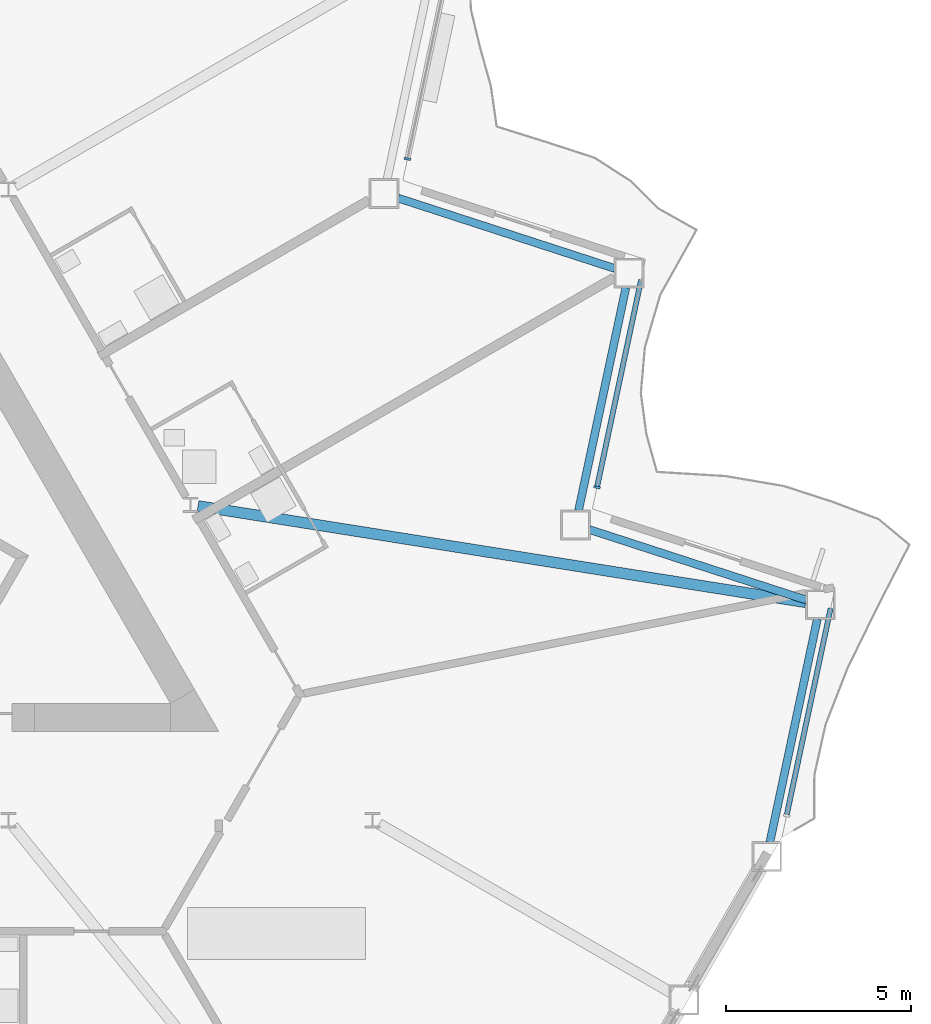
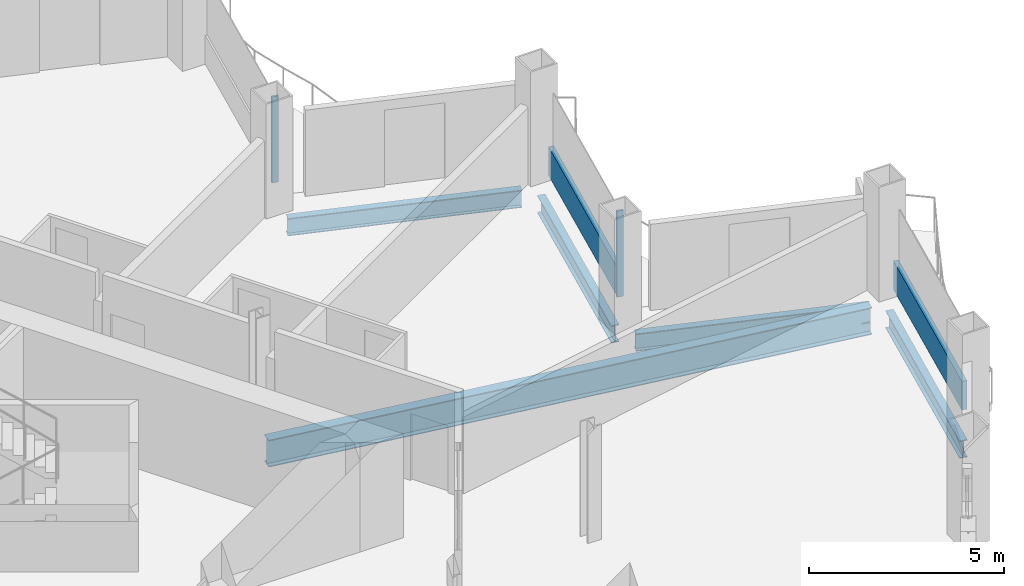
# One storey, part 6 of 23: 5 beams, 4 members, 3 elements without a shape of their own.
"""IFC4 building model written with IfcOpenShell, lengths in metres."""

from ifc_helpers import new_model, si_unit, direction, frame, origin, origin_2d, place, context, subcontext, project, spatial, rectangle, i_section, extrude, material, layer, layer_set, material_profile, profile_set, type_object, element, aggregate, save


model = new_model("IFC4")

# Units and contexts
model_context = context("Model", 3, precision=1e-05, world=origin(), true_north=direction((0.0, 1.0)))
body_context = subcontext(model_context, "Body", "Model", "MODEL_VIEW")
ifc_project = project(units=[si_unit("LENGTHUNIT", "METRE"), si_unit("AREAUNIT", "SQUARE_METRE"), si_unit("VOLUMEUNIT", "CUBIC_METRE"), si_unit("PLANEANGLEUNIT", "RADIAN"), si_unit("MASSUNIT", "GRAM", prefix="KILO")], contexts=[model_context])

# Site, building, storey
site_placement = place(None, origin())
site = spatial("IfcSite", under=ifc_project, at=site_placement, CompositionType="ELEMENT")
building_placement = place(site_placement, origin())
building = spatial("IfcBuilding", under=site, at=building_placement, Name="Cormorant Prow Tower", CompositionType="ELEMENT")
storey_placement = place(building_placement, frame((0.0, 0.0, 176.39990234375)))
storey = spatial("IfcBuildingStorey", under=building, at=storey_placement, Name="L37", CompositionType="ELEMENT", Elevation=176.39990234375)

# Curtain wall, member
ifc_material_1 = material(Name="Aluminium 6063-T6", Category="aluminium")
ifc_layer = layer(ifc_material_1, 0.179931640625)
ifc_layer_set = layer_set([ifc_layer], Name="Aluminium 6063-T6")
curtain_wall_type = type_object("IfcCurtainWallType", Name="Hotel unitised curtain wall 180", PredefinedType="NOTDEFINED", material=ifc_layer_set)
curtain_wall_1_placement = place(storey_placement, origin())
curtain_wall_1 = element("IfcCurtainWall", 1, at=curtain_wall_1_placement, inside=storey, type_object=curtain_wall_type, Name="Hotel curtain wall ENE02", PredefinedType="NOTDEFINED")
ifc_material_2 = material(Name="Aluminium 6063-T6", Category="aluminium")
ifc_material_profile_1 = material_profile(ifc_material_2, rectangle(XDim=0.179931640625, YDim=0.06005859375, at=origin_2d()), Name="Hotel mullion 60x180")
ifc_profile_set_1 = profile_set([ifc_material_profile_1], Name="Aluminium 6063-T6")
member_type_1 = type_object("IfcMemberType", Name="Hotel mullion 60x180", PredefinedType="MULLION", material=ifc_profile_set_1)
member_1_placement = place(storey_placement, frame((25.711181640625, -2.36376953125, 0.0), z_axis=(0.0, 0.0, 1.0), x_axis=(-0.97814762227, 0.207911589496, 0.0)))
member_1 = element("IfcMember", 2, at=member_1_placement, type_object=member_type_1, Name="Hotel mullion ENE02", PredefinedType="MULLION", context=body_context, shape_type="SweptSolid", body=[
    extrude(rectangle(XDim=0.179931640625, YDim=0.06005859375, at=origin_2d()), origin(), (0.0, 0.0, 1.0), 2.700927734375),
])

curtain_wall_2_placement = place(storey_placement, origin())
curtain_wall_2 = element("IfcCurtainWall", 3, at=curtain_wall_2_placement, inside=storey, type_object=curtain_wall_type, Name="Hotel curtain wall ENE04", PredefinedType="NOTDEFINED")
member_2_placement = place(storey_placement, frame((20.595458984375, 6.496826171875, 0.0), z_axis=(0.0, 0.0, 1.0), x_axis=(-0.97814759901, 0.207911698927, 0.0)))
member_2 = element("IfcMember", 4, at=member_2_placement, type_object=member_type_1, Name="Hotel mullion ENE04", PredefinedType="MULLION", context=body_context, shape_type="SweptSolid", body=[
    extrude(rectangle(XDim=0.179931640625, YDim=0.06005859375, at=origin_2d()), origin(), (0.0, 0.0, 1.0), 2.700927734375),
])
aggregate(curtain_wall_2, [member_2])

curtain_wall_3_placement = place(storey_placement, origin())
curtain_wall_3 = element("IfcCurtainWall", 5, at=curtain_wall_3_placement, inside=storey, type_object=curtain_wall_type, Name="Hotel curtain wall ENE00", PredefinedType="NOTDEFINED")
ifc_material_3 = material(Name="Terracotta", Category="masonry")
ifc_material_profile_2 = material_profile(ifc_material_3, rectangle(XDim=0.139892578125, YDim=0.89990234375, at=origin_2d()), Name="Hotel terracotta spandrel rail 140x900")
ifc_profile_set_2 = profile_set([ifc_material_profile_2], Name="Terracotta")
member_type_2 = type_object("IfcMemberType", Name="Hotel terracotta spandrel rail 140x900", PredefinedType="USERDEFINED", material=ifc_profile_set_2)
member_3_placement = place(storey_placement, frame((30.8330078125, -11.195068359375, 0.4501953125), z_axis=(0.207922412597, 0.978145321688, 0.0), x_axis=(-0.978145321688, 0.207922412597, 0.0)))
member_3 = element("IfcMember", 6, at=member_3_placement, type_object=member_type_2, Name="Hotel spandrel rail ENE00", ObjectType="TRANSOM", PredefinedType="USERDEFINED", context=body_context, shape_type="SweptSolid", body=[
    extrude(rectangle(XDim=0.139892578125, YDim=0.89990234375, at=origin_2d()), origin(), (0.0, 0.0, 1.0), 5.687744140625),
])
aggregate(curtain_wall_3, [member_3])

# Member
member_4_placement = place(storey_placement, frame((25.71728515625, -2.33447265625, 0.4501953125), z_axis=(0.207922412597, 0.978145321688, 0.0), x_axis=(-0.978145321688, 0.207922412597, 0.0)))
member_4 = element("IfcMember", 7, at=member_4_placement, type_object=member_type_2, Name="Hotel spandrel rail ENE02", ObjectType="TRANSOM", PredefinedType="USERDEFINED", context=body_context, shape_type="SweptSolid", body=[
    extrude(rectangle(XDim=0.139892578125, YDim=0.89990234375, at=origin_2d()), origin(), (0.0, 0.0, 1.0), 5.687744140625),
])

aggregate(curtain_wall_1, [member_1, member_4])

# Beams
ifc_material_4 = material(Name="Structural steel ASTM A992 Gr 50", Category="steel")
ifc_material_profile_3 = material_profile(ifc_material_4, i_section(OverallWidth=0.29296875, OverallDepth=0.845703125, WebThickness=0.015380859375, FlangeThickness=0.0244140625, at=origin_2d()), Name="W33x141")
ifc_profile_set_3 = profile_set([ifc_material_profile_3], Name="Structural steel ASTM A992 Gr 50")
beam_type_1 = type_object("IfcBeamType", Name="Radial floor beam W33x141", PredefinedType="BEAM", material=ifc_profile_set_3)
beam_1_placement = place(storey_placement, frame((14.94384765625, -2.869140625, -0.772705078125), z_axis=(0.987678058302, -0.156499371084, 0.0), x_axis=(0.156499371084, 0.987678058302, 0.0)))
element("IfcBeam", 8, at=beam_1_placement, inside=storey, type_object=beam_type_1, Name="Radial floor beam FB2 10 L37", PredefinedType="BEAM", context=body_context, shape_type="SweptSolid", body=[
    extrude(i_section(OverallWidth=0.29296875, OverallDepth=0.845703125, WebThickness=0.015380859375, FlangeThickness=0.0244140625, at=origin_2d()), origin(), (0.0, 0.0, 1.0), 16.604736328125),
])
ifc_material_5 = material(Name="Structural steel ASTM A992 Gr 50", Category="steel")
ifc_material_profile_4 = material_profile(ifc_material_5, i_section(OverallWidth=0.2138671875, OverallDepth=0.549072265625, WebThickness=0.0146484375, FlangeThickness=0.023681640625, at=origin_2d()), Name="W21x93")
ifc_profile_set_4 = profile_set([ifc_material_profile_4], Name="Structural steel ASTM A992 Gr 50")
beam_type_2 = type_object("IfcBeamType", Name="Spandrel beam W21x93", PredefinedType="SPANDREL", material=ifc_profile_set_4)
beam_2_placement = place(storey_placement, frame((30.377197265625, -11.93701171875, -0.62451171875), z_axis=(0.207904811195, 0.978149063018, 0.0), x_axis=(-0.978149063018, 0.207904811195, 0.0)))
element("IfcBeam", 9, at=beam_2_placement, inside=storey, type_object=beam_type_2, Name="Spandrel beam SB2 ENE00-ENE01 L37", PredefinedType="SPANDREL", context=body_context, shape_type="SweptSolid", body=[
    extrude(i_section(OverallWidth=0.2138671875, OverallDepth=0.549072265625, WebThickness=0.0146484375, FlangeThickness=0.023681640625, at=origin_2d()), origin(), (0.0, 0.0, 1.0), 6.149658203125),
])
beam_3_placement = place(storey_placement, frame((31.358642578125, -5.40673828125, -0.62451171875), z_axis=(-0.951057696564, 0.309013361859, 0.0), x_axis=(-0.309013361859, -0.951057696564, 0.0)))
element("IfcBeam", 10, at=beam_3_placement, inside=storey, type_object=beam_type_2, Name="Spandrel beam SB2 ENE01-ENE02 L37", PredefinedType="SPANDREL", context=body_context, shape_type="SweptSolid", body=[
    extrude(i_section(OverallWidth=0.2138671875, OverallDepth=0.549072265625, WebThickness=0.0146484375, FlangeThickness=0.023681640625, at=origin_2d()), origin(), (0.0, 0.0, 1.0), 6.14990234375),
])
beam_4_placement = place(storey_placement, frame((25.21240234375, -2.991455078125, -0.62451171875), z_axis=(0.207904811195, 0.978149063018, 0.0), x_axis=(-0.978149063018, 0.207904811195, 0.0)))
element("IfcBeam", 11, at=beam_4_placement, inside=storey, type_object=beam_type_2, Name="Spandrel beam SB2 ENE02-ENE03 L37", PredefinedType="SPANDREL", context=body_context, shape_type="SweptSolid", body=[
    extrude(i_section(OverallWidth=0.2138671875, OverallDepth=0.549072265625, WebThickness=0.0146484375, FlangeThickness=0.023681640625, at=origin_2d()), origin(), (0.0, 0.0, 1.0), 6.149658203125),
])
beam_5_placement = place(storey_placement, frame((26.19384765625, 3.538818359375, -0.62451171875), z_axis=(-0.951057696564, 0.309013361859, 0.0), x_axis=(-0.309013361859, -0.951057696564, 0.0)))
element("IfcBeam", 12, at=beam_5_placement, inside=storey, type_object=beam_type_2, Name="Spandrel beam SB2 ENE03-ENE04 L37", PredefinedType="SPANDREL", context=body_context, shape_type="SweptSolid", body=[
    extrude(i_section(OverallWidth=0.2138671875, OverallDepth=0.549072265625, WebThickness=0.0146484375, FlangeThickness=0.023681640625, at=origin_2d()), origin(), (0.0, 0.0, 1.0), 6.14990234375),
])

save(model, "model.ifc")
